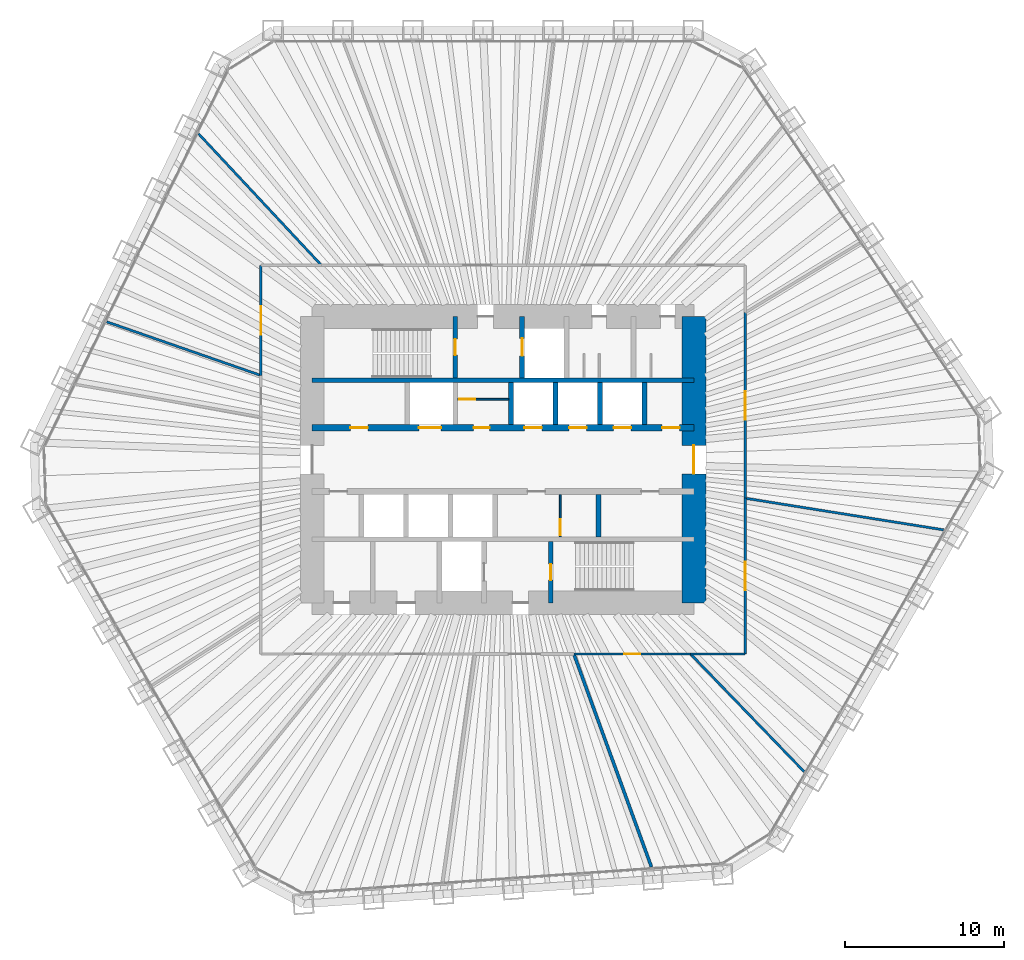
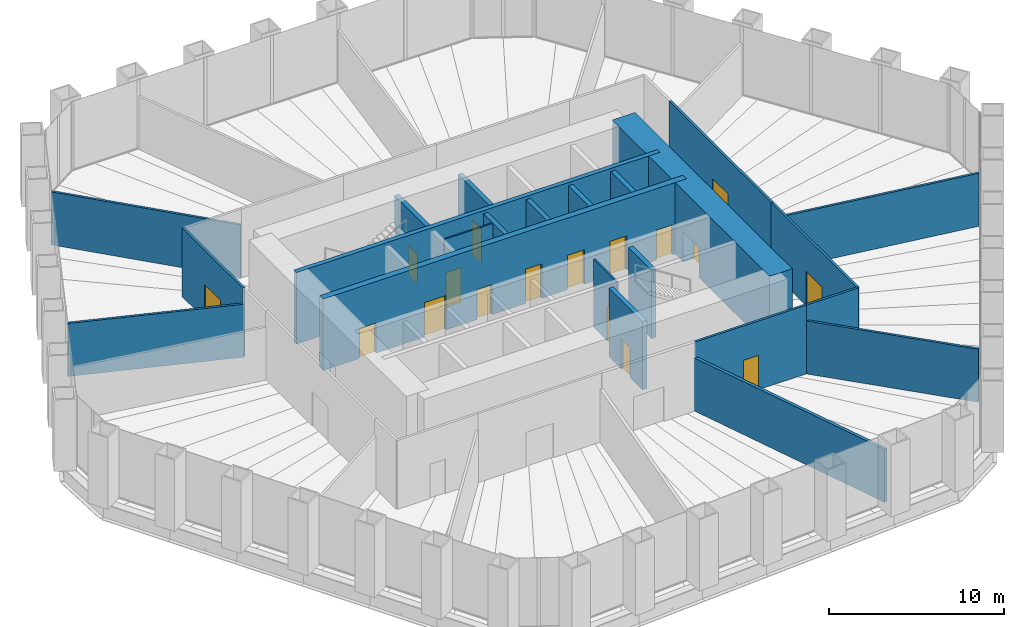
# One storey, part 11 of 13: 23 walls, 17 doors, 17 openings.
"""IFC4 building model written with IfcOpenShell, lengths in metres."""

import ifcopenshell
import ifcopenshell.guid

model = None  # the IFC model being written
_history = None  # IfcOwnerHistory: only IFC2X3 demands one
_inside = {}  # id of a spatial element -> (the spatial element, [elements in it])
_under = {}  # id of a project, library or spatial element -> (it, [spatial elements below it])
_declared = {}  # id of a project -> (the project, [libraries it declares])
_typed = {}  # id of a type object -> (the type object, [elements of that type])
_made_of = {}  # id of a material, layer set ... -> (it, [elements and type objects made of it])


def new_model(schema):
    """Start an empty IFC model of exactly this schema.

    Asked for "IFC4X3", IfcOpenShell would pick the latest addendum, in which some entities
    have other attributes; the version numbers below select the first issue.
    IFC2X3 requires an IfcOwnerHistory on every rooted entity: one is made here for all.
    """
    global model, _history
    if schema == "IFC4X3":
        model = ifcopenshell.file(schema_version=(4, 3, 0, 0))
    else:
        model = ifcopenshell.file(schema=schema)
    _inside.clear()
    _under.clear()
    _declared.clear()
    _typed.clear()
    _made_of.clear()
    _history = None
    if model.schema == "IFC2X3":
        org = make("IfcOrganization", Name="unknown")
        user = make(
            "IfcPersonAndOrganization",
            ThePerson=make("IfcPerson", FamilyName="unknown"),
            TheOrganization=org,
        )
        app = make(
            "IfcApplication",
            ApplicationDeveloper=org,
            Version="unknown",
            ApplicationFullName="unknown",
            ApplicationIdentifier="unknown",
        )
        _history = make(
            "IfcOwnerHistory",
            OwningUser=user,
            OwningApplication=app,
            ChangeAction="ADDED",
            CreationDate=0,
        )
    return model


def make(cls, **values):
    """One entity of the class cls with the attributes given. An attribute that is None is left unset."""
    return model.create_entity(
        cls, **{name: value for name, value in values.items() if value is not None}
    )


def rooted(cls, **values):
    """An entity with a GlobalId (a new one), such as an element, a storey or a relation."""
    return make(cls, GlobalId=ifcopenshell.guid.new(), OwnerHistory=_history, **values)


def si_unit(unit_type, name, prefix=None):
    """IfcSIUnit, for example si_unit("LENGTHUNIT", "METRE", prefix="MILLI")."""
    return make("IfcSIUnit", UnitType=unit_type, Prefix=prefix, Name=name)


def assignment(units):
    """IfcUnitAssignment: the units of a project."""
    return None if units is None else make("IfcUnitAssignment", Units=units)


def point(xyz):
    """IfcCartesianPoint."""
    return None if xyz is None else make("IfcCartesianPoint", Coordinates=xyz)


def direction(xyz):
    """IfcDirection."""
    return None if xyz is None else make("IfcDirection", DirectionRatios=xyz)


def frame(location, z_axis=None, x_axis=None):
    """IfcAxis2Placement3D, a coordinate frame: its origin and axes. An axis left out is left unset."""
    return make(
        "IfcAxis2Placement3D",
        Location=point(location),
        Axis=direction(z_axis),
        RefDirection=direction(x_axis),
    )


def frame_2d(location, x_axis=None):
    """IfcAxis2Placement2D, a coordinate frame in the plane: its origin and x axis."""
    return make(
        "IfcAxis2Placement2D", Location=point(location), RefDirection=direction(x_axis)
    )


def origin():
    """The frame at (0, 0, 0) with its axes left unset."""
    return frame((0.0, 0.0, 0.0))


def place(relative_to, where):
    """IfcLocalPlacement: puts the frame where relative to a parent placement (None: the world)."""
    return make(
        "IfcLocalPlacement", PlacementRelTo=relative_to, RelativePlacement=where
    )


def context(
    kind, dimensions, precision=None, world=None, true_north=None, identifier=None
):
    """IfcGeometricRepresentationContext, for example the 3D "Model" context."""
    return make(
        "IfcGeometricRepresentationContext",
        ContextIdentifier=identifier,
        ContextType=kind,
        CoordinateSpaceDimension=dimensions,
        Precision=precision,
        WorldCoordinateSystem=world,
        TrueNorth=true_north,
    )


def subcontext(parent, identifier, kind, view, scale=None):
    """IfcGeometricRepresentationSubContext, for example "Body" below "Model"."""
    return make(
        "IfcGeometricRepresentationSubContext",
        ContextIdentifier=identifier,
        ContextType=kind,
        ParentContext=parent,
        TargetScale=scale,
        TargetView=view,
    )


def project(units=None, contexts=None):
    """IfcProject with its units and contexts."""
    return rooted(
        "IfcProject",
        Name="project",
        RepresentationContexts=contexts,
        UnitsInContext=assignment(units),
    )


def spatial(cls, under=None, at=None, **own):
    """A site, building, storey or space (cls), placed at a placement, below another one or the project."""
    s = rooted(cls, ObjectPlacement=at, **own)
    if under is not None:
        _under.setdefault(under.id(), (under, []))[1].append(s)
    return s


def profile(cls, at=None, kind="AREA", **sizes):
    """A parametric profile (cls). Its sizes go by their IFC names, for example OverallWidth=200.0."""
    return make(cls, ProfileType=kind, Position=at, **sizes)


def rectangle(**sizes):
    """IfcRectangleProfileDef."""
    return profile("IfcRectangleProfileDef", **sizes)


def extrude(swept, where, along, depth):
    """IfcExtrudedAreaSolid: the profile swept, set in the frame where, extruded along a direction by depth."""
    return make(
        "IfcExtrudedAreaSolid",
        SweptArea=swept,
        Position=where,
        ExtrudedDirection=direction(along),
        Depth=depth,
    )


def shape(context_of_items, identifier, shape_type, items):
    """IfcShapeRepresentation: the items that make up one representation, for example the "Body"."""
    return make(
        "IfcShapeRepresentation",
        ContextOfItems=context_of_items,
        RepresentationIdentifier=identifier,
        RepresentationType=shape_type,
        Items=items,
    )


def material(Name=None, Category=None):
    """IfcMaterial."""
    return make("IfcMaterial", Name=Name, Category=Category)


def layer(
    of_material, thickness, ventilated=None, Name=None, Category=None, Priority=None
):
    """IfcMaterialLayer: one layer of a wall or slab, of a material (None: an air gap)."""
    return make(
        "IfcMaterialLayer",
        Material=of_material,
        LayerThickness=thickness,
        IsVentilated=ventilated,
        Name=Name,
        Category=Category,
        Priority=Priority,
    )


def layer_set(layers, Name=None):
    """IfcMaterialLayerSet."""
    return make("IfcMaterialLayerSet", MaterialLayers=layers, LayerSetName=Name)


def made_of(thing, what):
    """Note that an element or type object is made of a material, layer set ...; save() writes the relation."""
    if what is not None:
        _made_of.setdefault(what.id(), (what, []))[1].append(thing)
    return thing


def type_object(cls, material=None, **own):
    """A type object (cls), such as IfcWallType, which elements share."""
    return made_of(rooted(cls, **own), material)


def element(
    cls,
    number,
    at=None,
    inside=None,
    cuts=None,
    type_object=None,
    material=None,
    context=None,
    identifier="Body",
    shape_type=None,
    held_by="IfcProductDefinitionShape",
    body=None,
    shapes=None,
    **own,
):
    """One element of the class cls, such as IfcWall. Its Tag is "e" and its number.

    at: its placement. inside: the storey or other place that contains it. cuts: it is an
    opening in that element (IfcRelVoidsElement). A single representation is given by context,
    identifier, shape_type and body (its items); several are given by shapes. held_by: the class
    of the entity that holds the representations. save() writes the other relations.
    """
    e = rooted(cls, Tag="e%d" % number, ObjectPlacement=at, **own)
    if body is not None:
        shapes = [shape(context, identifier, shape_type, body)]
    if shapes is not None:
        e.Representation = make(held_by, Representations=shapes)
    if inside is not None:
        _inside.setdefault(inside.id(), (inside, []))[1].append(e)
    if cuts is not None:
        rooted(
            "IfcRelVoidsElement", RelatingBuildingElement=cuts, RelatedOpeningElement=e
        )
    if type_object is not None:
        _typed.setdefault(type_object.id(), (type_object, []))[1].append(e)
    return made_of(e, material)


def fill(opening, filler):
    """IfcRelFillsElement: the door or window that sits in an opening."""
    return rooted(
        "IfcRelFillsElement",
        RelatingOpeningElement=opening,
        RelatedBuildingElement=filler,
    )


def aggregate(whole, parts):
    """IfcRelAggregates: a whole, such as a stair, and the parts it consists of."""
    return rooted("IfcRelAggregates", RelatingObject=whole, RelatedObjects=parts)


def save(model, path):
    """Write the relations noted so far, then the file.

    IfcRelAggregates (storeys below a building ...), IfcRelContainedInSpatialStructure (elements
    in a storey), IfcRelDefinesByType, IfcRelAssociatesMaterial and IfcRelDeclares: one each for
    every whole, place, type object, material and project.
    """
    for whole, parts in _under.values():
        aggregate(whole, parts)
    for where, things in _inside.values():
        rooted(
            "IfcRelContainedInSpatialStructure",
            RelatedElements=things,
            RelatingStructure=where,
        )
    for kind, things in _typed.values():
        rooted("IfcRelDefinesByType", RelatedObjects=things, RelatingType=kind)
    for what, things in _made_of.values():
        rooted("IfcRelAssociatesMaterial", RelatedObjects=things, RelatingMaterial=what)
    for by, libraries in _declared.values():
        rooted("IfcRelDeclares", RelatingContext=by, RelatedDefinitions=libraries)
    model.write(path)


model = new_model("IFC4")

# Units and contexts
model_context = context("Model", 3, precision=1e-05, world=origin(), true_north=direction((0.0, 1.0)))
body_context = subcontext(model_context, "Body", "Model", "MODEL_VIEW")
ifc_project = project(units=[si_unit("LENGTHUNIT", "METRE"), si_unit("AREAUNIT", "SQUARE_METRE"), si_unit("VOLUMEUNIT", "CUBIC_METRE"), si_unit("PLANEANGLEUNIT", "RADIAN"), si_unit("MASSUNIT", "GRAM", prefix="KILO")], contexts=[model_context])

# Site, building, storey
site_placement = place(None, origin())
site = spatial("IfcSite", under=ifc_project, at=site_placement, CompositionType="ELEMENT")
building_placement = place(site_placement, origin())
building = spatial("IfcBuilding", under=site, at=building_placement, Name="Qingtian Harvest Tower", CompositionType="ELEMENT")
storey_placement = place(building_placement, frame((0.0, 0.0, 87.0)))
storey = spatial("IfcBuildingStorey", under=building, at=storey_placement, Name="L17", CompositionType="ELEMENT", Elevation=87.0)

# Wall
ifc_material_1 = material(Name="Concrete fc' 70 MPa", Category="concrete")
ifc_layer_1 = layer(ifc_material_1, 0.300048828125)
ifc_layer_set_1 = layer_set([ifc_layer_1], Name="Core inner wall RC5 300")
wall_type_1 = type_object("IfcWallType", Name="Core inner wall RC5 300", PredefinedType="SHEAR", material=ifc_layer_set_1)
wall_1_placement = place(storey_placement, frame((-12.0, 5.0, 0.0), z_axis=(0.0, 0.0, 1.0), x_axis=(1.0, 0.0, 0.0)))
element("IfcWall", 1, at=wall_1_placement, inside=storey, type_object=wall_type_1, Name="Core wall IN5 L17", PredefinedType="SHEAR", context=body_context, shape_type="SweptSolid", body=[
    extrude(rectangle(XDim=24.0, YDim=0.300048828125, at=frame_2d((12.0, 0.0))), origin(), (0.0, 0.0, 1.0), 5.0),
])

# Wall, openings, doors
ifc_material_2 = material(Name="Concrete fc' 70 MPa", Category="concrete")
ifc_layer_2 = layer(ifc_material_2, 0.39990234375)
ifc_layer_set_2 = layer_set([ifc_layer_2], Name="Core inner web RC6 400")
wall_type_2 = type_object("IfcWallType", Name="Core inner web RC6 400", PredefinedType="SHEAR", material=ifc_layer_set_2)
wall_2_placement = place(storey_placement, frame((-12.0, 2.0, 0.0), z_axis=(0.0, 0.0, 1.0), x_axis=(1.0, 0.0, 0.0)))
wall_2 = element("IfcWall", 2, at=wall_2_placement, inside=storey, type_object=wall_type_2, Name="Core wall IN2 L17", PredefinedType="SHEAR", context=body_context, shape_type="SweptSolid", body=[
    extrude(rectangle(XDim=24.0, YDim=0.39990234375, at=frame_2d((12.0, 0.0))), origin(), (0.0, 0.0, 1.0), 5.0),
])
opening_1_placement = place(wall_2_placement, frame((2.39990234375, 0.0, 0.0)))
opening_1 = element("IfcOpeningElement", 3, at=opening_1_placement, cuts=wall_2, Name="Opening FD4", PredefinedType="OPENING", context=body_context, shape_type="SweptSolid", body=[
    extrude(rectangle(XDim=1.10009765625, YDim=2.10009765625, at=frame_2d((0.550048828125, 1.050048828125))), frame((0.0, 0.2099609375, 0.0), z_axis=(0.0, -1.0, 0.0), x_axis=(1.0, 0.0, 0.0)), (0.0, 0.0, 1.0), 0.419921875),
])
opening_2_placement = place(wall_2_placement, frame((22.0, 0.0, 0.0)))
opening_2 = element("IfcOpeningElement", 4, at=opening_2_placement, cuts=wall_2, Name="Opening FD4", PredefinedType="OPENING", context=body_context, shape_type="SweptSolid", body=[
    extrude(rectangle(XDim=1.10009765625, YDim=2.10009765625, at=frame_2d((0.550048828125, 1.050048828125))), frame((0.0, 0.2099609375, 0.0), z_axis=(0.0, -1.0, 0.0), x_axis=(1.0, 0.0, 0.0)), (0.0, 0.0, 1.0), 0.419921875),
])
opening_3_placement = place(wall_2_placement, frame((10.14990234375, 0.0, 0.0)))
opening_3 = element("IfcOpeningElement", 5, at=opening_3_placement, cuts=wall_2, Name="Opening FD1", PredefinedType="OPENING", context=body_context, shape_type="SweptSolid", body=[
    extrude(rectangle(XDim=1.0, YDim=2.10009765625, at=frame_2d((0.5, 1.050048828125))), frame((0.0, 0.2099609375, 0.0), z_axis=(0.0, -1.0, 0.0), x_axis=(1.0, 0.0, 0.0)), (0.0, 0.0, 1.0), 0.419921875),
])
opening_4_placement = place(wall_2_placement, frame((6.699951171875, 0.0, 0.0)))
opening_4 = element("IfcOpeningElement", 6, at=opening_4_placement, cuts=wall_2, Name="Opening LD2", PredefinedType="OPENING", context=body_context, shape_type="SweptSolid", body=[
    extrude(rectangle(XDim=1.39990234375, YDim=2.39990234375, at=frame_2d((0.699951171875, 1.199951171875))), frame((0.0, 0.2099609375, 0.0), z_axis=(0.0, -1.0, 0.0), x_axis=(1.0, 0.0, 0.0)), (0.0, 0.0, 1.0), 0.419921875),
])
opening_5_placement = place(wall_2_placement, frame((13.35009765625, 0.0, 0.0)))
opening_5 = element("IfcOpeningElement", 7, at=opening_5_placement, cuts=wall_2, Name="Opening LD1", PredefinedType="OPENING", context=body_context, shape_type="SweptSolid", body=[
    extrude(rectangle(XDim=1.10009765625, YDim=2.39990234375, at=frame_2d((0.550048828125, 1.199951171875))), frame((0.0, 0.2099609375, 0.0), z_axis=(0.0, -1.0, 0.0), x_axis=(1.0, 0.0, 0.0)), (0.0, 0.0, 1.0), 0.419921875),
])
opening_6_placement = place(wall_2_placement, frame((16.14990234375, 0.0, 0.0)))
opening_6 = element("IfcOpeningElement", 8, at=opening_6_placement, cuts=wall_2, Name="Opening LD1", PredefinedType="OPENING", context=body_context, shape_type="SweptSolid", body=[
    extrude(rectangle(XDim=1.10009765625, YDim=2.39990234375, at=frame_2d((0.550048828125, 1.199951171875))), frame((0.0, 0.2099609375, 0.0), z_axis=(0.0, -1.0, 0.0), x_axis=(1.0, 0.0, 0.0)), (0.0, 0.0, 1.0), 0.419921875),
])
opening_7_placement = place(wall_2_placement, frame((18.949951171875, 0.0, 0.0)))
opening_7 = element("IfcOpeningElement", 9, at=opening_7_placement, cuts=wall_2, Name="Opening LD1", PredefinedType="OPENING", context=body_context, shape_type="SweptSolid", body=[
    extrude(rectangle(XDim=1.10009765625, YDim=2.39990234375, at=frame_2d((0.550048828125, 1.199951171875))), frame((0.0, 0.2099609375, 0.0), z_axis=(0.0, -1.0, 0.0), x_axis=(1.0, 0.0, 0.0)), (0.0, 0.0, 1.0), 0.419921875),
])
ifc_material_3 = material(Name="Steel-faced door leaf", Category="steel")
door_type_1 = type_object("IfcDoorType", Name="Fire door FD1 single 1 HR", OperationType="SINGLE_SWING_LEFT", PredefinedType="DOOR", material=ifc_material_3)
door_1_placement = place(opening_3_placement, origin())
door_1 = element("IfcDoor", 10, at=door_1_placement, inside=storey, type_object=door_type_1, Name="STA door L17", OperationType="SINGLE_SWING_RIGHT", OverallHeight=2.10009765625, OverallWidth=1.0, PredefinedType="DOOR", context=body_context, shape_type="SweptSolid", body=[
    extrude(rectangle(XDim=1.0, YDim=2.10009765625, at=frame_2d((0.5, 1.050048828125))), frame((0.0, 0.02490234375, 0.0), z_axis=(0.0, -1.0, 0.0), x_axis=(1.0, 0.0, 0.0)), (0.0, 0.0, 1.0), 0.050048828125),
])
fill(opening_3, door_1)
ifc_material_4 = material(Name="Steel-faced door leaf", Category="steel")
door_type_2 = type_object("IfcDoorType", Name="Fire door FD4 single 2 HR", OperationType="SINGLE_SWING_LEFT", PredefinedType="DOOR", material=ifc_material_4)
door_2_placement = place(opening_1_placement, origin())
door_2 = element("IfcDoor", 11, at=door_2_placement, inside=storey, type_object=door_type_2, Name="RA door L17", OperationType="SINGLE_SWING_RIGHT", OverallHeight=2.10009765625, OverallWidth=1.10009765625, PredefinedType="DOOR", context=body_context, shape_type="SweptSolid", body=[
    extrude(rectangle(XDim=1.10009765625, YDim=2.10009765625, at=frame_2d((0.550048828125, 1.050048828125))), frame((0.0, 0.02490234375, 0.0), z_axis=(0.0, -1.0, 0.0), x_axis=(1.0, 0.0, 0.0)), (0.0, 0.0, 1.0), 0.050048828125),
])
fill(opening_1, door_2)
door_3_placement = place(opening_2_placement, origin())
door_3 = element("IfcDoor", 12, at=door_3_placement, inside=storey, type_object=door_type_2, Name="AHU door L17", OperationType="SINGLE_SWING_LEFT", OverallHeight=2.10009765625, OverallWidth=1.10009765625, PredefinedType="DOOR", context=body_context, shape_type="SweptSolid", body=[
    extrude(rectangle(XDim=1.10009765625, YDim=2.10009765625, at=frame_2d((0.550048828125, 1.050048828125))), frame((0.0, 0.02490234375, 0.0), z_axis=(0.0, -1.0, 0.0), x_axis=(1.0, 0.0, 0.0)), (0.0, 0.0, 1.0), 0.050048828125),
])
fill(opening_2, door_3)
ifc_material_5 = material(Name="Stainless steel lift landing door", Category="steel")
door_type_3 = type_object("IfcDoorType", Name="Goods lift landing door LD2 1 HR", OperationType="DOUBLE_DOOR_SLIDING", PredefinedType="DOOR", material=ifc_material_5)
door_4_placement = place(opening_4_placement, origin())
door_4 = element("IfcDoor", 13, at=door_4_placement, inside=storey, type_object=door_type_3, Name="GL1 landing door L17", OperationType="DOUBLE_DOOR_SLIDING", OverallHeight=2.39990234375, OverallWidth=1.39990234375, PredefinedType="DOOR", context=body_context, shape_type="SweptSolid", body=[
    extrude(rectangle(XDim=1.39990234375, YDim=2.39990234375, at=frame_2d((0.699951171875, 1.199951171875))), frame((0.0, 0.02490234375, 0.0), z_axis=(0.0, -1.0, 0.0), x_axis=(1.0, 0.0, 0.0)), (0.0, 0.0, 1.0), 0.050048828125),
])
fill(opening_4, door_4)
ifc_material_6 = material(Name="Stainless steel lift landing door", Category="steel")
door_type_4 = type_object("IfcDoorType", Name="Lift landing door LD1 1 HR", OperationType="DOUBLE_DOOR_SLIDING", PredefinedType="DOOR", material=ifc_material_6)
door_5_placement = place(opening_5_placement, origin())
door_5 = element("IfcDoor", 14, at=door_5_placement, inside=storey, type_object=door_type_4, Name="PLA1 landing door L17", OperationType="DOUBLE_DOOR_SLIDING", OverallHeight=2.39990234375, OverallWidth=1.10009765625, PredefinedType="DOOR", context=body_context, shape_type="SweptSolid", body=[
    extrude(rectangle(XDim=1.10009765625, YDim=2.39990234375, at=frame_2d((0.550048828125, 1.199951171875))), frame((0.0, 0.02490234375, 0.0), z_axis=(0.0, -1.0, 0.0), x_axis=(1.0, 0.0, 0.0)), (0.0, 0.0, 1.0), 0.050048828125),
])
fill(opening_5, door_5)
door_6_placement = place(opening_6_placement, origin())
door_6 = element("IfcDoor", 15, at=door_6_placement, inside=storey, type_object=door_type_4, Name="PLA2 landing door L17", OperationType="DOUBLE_DOOR_SLIDING", OverallHeight=2.39990234375, OverallWidth=1.10009765625, PredefinedType="DOOR", context=body_context, shape_type="SweptSolid", body=[
    extrude(rectangle(XDim=1.10009765625, YDim=2.39990234375, at=frame_2d((0.550048828125, 1.199951171875))), frame((0.0, 0.02490234375, 0.0), z_axis=(0.0, -1.0, 0.0), x_axis=(1.0, 0.0, 0.0)), (0.0, 0.0, 1.0), 0.050048828125),
])
fill(opening_6, door_6)
door_7_placement = place(opening_7_placement, origin())
door_7 = element("IfcDoor", 16, at=door_7_placement, inside=storey, type_object=door_type_4, Name="PLA3 landing door L17", OperationType="DOUBLE_DOOR_SLIDING", OverallHeight=2.39990234375, OverallWidth=1.10009765625, PredefinedType="DOOR", context=body_context, shape_type="SweptSolid", body=[
    extrude(rectangle(XDim=1.10009765625, YDim=2.39990234375, at=frame_2d((0.550048828125, 1.199951171875))), frame((0.0, 0.02490234375, 0.0), z_axis=(0.0, -1.0, 0.0), x_axis=(1.0, 0.0, 0.0)), (0.0, 0.0, 1.0), 0.050048828125),
])
fill(opening_7, door_7)

# Wall, opening, door
ifc_material_7 = material(Name="Precast concrete shaft panel", Category="concrete")
ifc_layer_3 = layer(ifc_material_7, 0.300048828125)
ifc_layer_set_3 = layer_set([ifc_layer_3], Name="Core shaft partition SW1 300")
wall_type_3 = type_object("IfcWallType", Name="Core shaft partition SW1 300", PredefinedType="PARTITIONING", material=ifc_layer_set_3)
wall_3_placement = place(storey_placement, frame((-3.0, 5.14990234375, 0.0), z_axis=(0.0, 0.0, 1.0), x_axis=(0.0, 1.0, 0.0)))
wall_3 = element("IfcWall", 17, at=wall_3_placement, inside=storey, type_object=wall_type_3, Name="Core shaft partition XN1 L17", PredefinedType="PARTITIONING", context=body_context, shape_type="SweptSolid", body=[
    extrude(rectangle(XDim=3.85009765625, YDim=0.300048828125, at=frame_2d((1.925048828125, 0.0))), origin(), (0.0, 0.0, 1.0), 4.780029296875),
])
opening_8_placement = place(wall_3_placement, frame((1.425048828125, 0.0, 0.0)))
opening_8 = element("IfcOpeningElement", 18, at=opening_8_placement, cuts=wall_3, Name="Opening FD1", PredefinedType="OPENING", context=body_context, shape_type="SweptSolid", body=[
    extrude(rectangle(XDim=1.0, YDim=2.10009765625, at=frame_2d((0.5, 1.050048828125))), frame((0.0, 0.159912109375, 0.0), z_axis=(0.0, -1.0, 0.0), x_axis=(1.0, 0.0, 0.0)), (0.0, 0.0, 1.0), 0.320068359375),
])
door_8_placement = place(opening_8_placement, origin())
door_8 = element("IfcDoor", 19, at=door_8_placement, inside=storey, type_object=door_type_1, Name="S1 door L17", OperationType="SINGLE_SWING_LEFT", OverallHeight=2.10009765625, OverallWidth=1.0, PredefinedType="DOOR", context=body_context, shape_type="SweptSolid", body=[
    extrude(rectangle(XDim=1.0, YDim=2.10009765625, at=frame_2d((0.5, 1.050048828125))), frame((0.0, 0.02490234375, 0.0), z_axis=(0.0, -1.0, 0.0), x_axis=(1.0, 0.0, 0.0)), (0.0, 0.0, 1.0), 0.050048828125),
])
fill(opening_8, door_8)

wall_4_placement = place(storey_placement, frame((1.199951171875, 5.14990234375, 0.0), z_axis=(0.0, 0.0, 1.0), x_axis=(0.0, 1.0, 0.0)))
wall_4 = element("IfcWall", 20, at=wall_4_placement, inside=storey, type_object=wall_type_3, Name="Core shaft partition XN2 L17", PredefinedType="PARTITIONING", context=body_context, shape_type="SweptSolid", body=[
    extrude(rectangle(XDim=3.85009765625, YDim=0.300048828125, at=frame_2d((1.925048828125, 0.0))), origin(), (0.0, 0.0, 1.0), 4.780029296875),
])
opening_9_placement = place(wall_4_placement, frame((1.375, 0.0, 0.0)))
opening_9 = element("IfcOpeningElement", 21, at=opening_9_placement, cuts=wall_4, Name="Opening LD1", PredefinedType="OPENING", context=body_context, shape_type="SweptSolid", body=[
    extrude(rectangle(XDim=1.10009765625, YDim=2.39990234375, at=frame_2d((0.550048828125, 1.199951171875))), frame((0.0, 0.159912109375, 0.0), z_axis=(0.0, -1.0, 0.0), x_axis=(1.0, 0.0, 0.0)), (0.0, 0.0, 1.0), 0.320068359375),
])
door_9_placement = place(opening_9_placement, origin())
door_9 = element("IfcDoor", 22, at=door_9_placement, inside=storey, type_object=door_type_4, Name="FL1 landing door L17", OperationType="DOUBLE_DOOR_SLIDING", OverallHeight=2.39990234375, OverallWidth=1.10009765625, PredefinedType="DOOR", context=body_context, shape_type="SweptSolid", body=[
    extrude(rectangle(XDim=1.10009765625, YDim=2.39990234375, at=frame_2d((0.550048828125, 1.199951171875))), frame((0.0, 0.02490234375, 0.0), z_axis=(0.0, -1.0, 0.0), x_axis=(1.0, 0.0, 0.0)), (0.0, 0.0, 1.0), 0.050048828125),
])
fill(opening_9, door_9)

# Walls
for number, where, z_axis, x_axis, name in (
    (23, (0.5, 2.199951171875, 0.0), (0.0, 0.0, 1.0), (0.0, 1.0, 0.0), "Core shaft partition XA3 L17"),
    (24, (3.300048828125, 2.199951171875, 0.0), (0.0, 0.0, 1.0), (0.0, 1.0, 0.0), "Core shaft partition XA4 L17"),
    (25, (6.10009765625, 2.199951171875, 0.0), (0.0, 0.0, 1.0), (0.0, 1.0, 0.0), "Core shaft partition XA5 L17"),
    (26, (8.89990234375, 2.199951171875, 0.0), (0.0, 0.0, 1.0), (0.0, 1.0, 0.0), "Core shaft partition XA6 L17"),
    (27, (6.0, -4.85009765625, 0.0), (0.0, 0.0, 1.0), (0.0, 1.0, 0.0), "Core shaft partition XB5 L17"),
):
    element("IfcWall", number, at=place(storey_placement, frame(where, z_axis=z_axis, x_axis=x_axis)), inside=storey, type_object=wall_type_3, Name=name, PredefinedType="PARTITIONING", context=body_context, shape_type="SweptSolid", body=[
        extrude(rectangle(XDim=2.650146484375, YDim=0.300048828125, at=frame_2d((1.3251953125, 0.0))), origin(), (0.0, 0.0, 1.0), 4.780029296875),
    ])

# Wall, opening, door
wall_5_placement = place(storey_placement, frame((3.0, -9.0, 0.0), z_axis=(0.0, 0.0, 1.0), x_axis=(0.0, 1.0, 0.0)))
wall_5 = element("IfcWall", 28, at=wall_5_placement, inside=storey, type_object=wall_type_3, Name="Core shaft partition XS4 L17", PredefinedType="PARTITIONING", context=body_context, shape_type="SweptSolid", body=[
    extrude(rectangle(XDim=3.85009765625, YDim=0.300048828125, at=frame_2d((1.925048828125, 0.0))), origin(), (0.0, 0.0, 1.0), 4.780029296875),
])
opening_10_placement = place(wall_5_placement, frame((1.425048828125, 0.0, 0.0)))
opening_10 = element("IfcOpeningElement", 29, at=opening_10_placement, cuts=wall_5, Name="Opening FD1", PredefinedType="OPENING", context=body_context, shape_type="SweptSolid", body=[
    extrude(rectangle(XDim=1.0, YDim=2.10009765625, at=frame_2d((0.5, 1.050048828125))), frame((0.0, 0.159912109375, 0.0), z_axis=(0.0, -1.0, 0.0), x_axis=(1.0, 0.0, 0.0)), (0.0, 0.0, 1.0), 0.320068359375),
])
door_10_placement = place(opening_10_placement, origin())
door_10 = element("IfcDoor", 30, at=door_10_placement, inside=storey, type_object=door_type_1, Name="S2 door L17", OperationType="SINGLE_SWING_RIGHT", OverallHeight=2.10009765625, OverallWidth=1.0, PredefinedType="DOOR", context=body_context, shape_type="SweptSolid", body=[
    extrude(rectangle(XDim=1.0, YDim=2.10009765625, at=frame_2d((0.5, 1.050048828125))), frame((0.0, 0.02490234375, 0.0), z_axis=(0.0, -1.0, 0.0), x_axis=(1.0, 0.0, 0.0)), (0.0, 0.0, 1.0), 0.050048828125),
])
fill(opening_10, door_10)

ifc_material_8 = material(Name="Concrete fc' 70 MPa", Category="concrete")
ifc_layer_4 = layer(ifc_material_8, 1.5)
ifc_layer_set_4 = layer_set([ifc_layer_4], Name="Core wall RC1 1500")
wall_type_4 = type_object("IfcWallType", Name="Core wall RC1 1500", PredefinedType="SHEAR", material=ifc_layer_set_4)
wall_6_placement = place(storey_placement, frame((12.0, -9.0, 0.0), z_axis=(0.0, 0.0, 1.0), x_axis=(0.0, 1.0, 0.0)))
wall_6 = element("IfcWall", 31, at=wall_6_placement, inside=storey, type_object=wall_type_4, Name="Core wall CE L17", PredefinedType="SHEAR", context=body_context, shape_type="SweptSolid", body=[
    extrude(rectangle(XDim=18.0, YDim=1.5, at=frame_2d((9.0, 0.0))), origin(), (0.0, 0.0, 1.0), 5.0),
])
opening_11_placement = place(wall_6_placement, frame((8.10009765625, 0.0, 0.0)))
opening_11 = element("IfcOpeningElement", 32, at=opening_11_placement, cuts=wall_6, Name="Opening FD2", PredefinedType="OPENING", context=body_context, shape_type="SweptSolid", body=[
    extrude(rectangle(XDim=1.800048828125, YDim=2.10009765625, at=frame_2d((0.89990234375, 1.050048828125))), frame((0.0, 0.760009765625, 0.0), z_axis=(0.0, -1.0, 0.0), x_axis=(1.0, 0.0, 0.0)), (0.0, 0.0, 1.0), 1.52001953125),
])
ifc_material_9 = material(Name="Steel-faced door leaf", Category="steel")
door_type_5 = type_object("IfcDoorType", Name="Fire door FD2 double 1 HR", OperationType="DOUBLE_DOOR_DOUBLE_SWING", PredefinedType="DOOR", material=ifc_material_9)
door_11_placement = place(opening_11_placement, origin())
door_11 = element("IfcDoor", 33, at=door_11_placement, inside=storey, type_object=door_type_5, Name="LOBBY-E door L17", OperationType="DOUBLE_DOOR_DOUBLE_SWING", OverallHeight=2.10009765625, OverallWidth=1.800048828125, PredefinedType="DOOR", context=body_context, shape_type="SweptSolid", body=[
    extrude(rectangle(XDim=1.800048828125, YDim=2.10009765625, at=frame_2d((0.89990234375, 1.050048828125))), frame((0.0, 0.02490234375, 0.0), z_axis=(0.0, -1.0, 0.0), x_axis=(1.0, 0.0, 0.0)), (0.0, 0.0, 1.0), 0.050048828125),
])
fill(opening_11, door_11)

# Wall
ifc_material_10 = material(Name="Blockwork fire wall", Category="masonry")
ifc_layer_5 = layer(ifc_material_10, 0.199951171875)
ifc_layer_set_5 = layer_set([ifc_layer_5], Name="Fire partition FW1 200")
wall_type_5 = type_object("IfcWallType", Name="Fire partition FW1 200", PredefinedType="PARTITIONING", material=ifc_layer_set_5)
wall_7_placement = place(storey_placement, frame((9.33349609375, -25.615234375, 0.0), z_axis=(0.0, 0.0, 1.0), x_axis=(-0.342348208267, 0.939573150051, 0.0)))
element("IfcWall", 34, at=wall_7_placement, inside=storey, type_object=wall_type_5, Name="Cold room wall L17", PredefinedType="PARTITIONING", context=body_context, shape_type="SweptSolid", body=[
    extrude(rectangle(XDim=14.251220703125, YDim=0.199951171875, at=frame_2d((7.12548828125, 0.0))), origin(), (0.0, 0.0, 1.0), 3.699951171875),
])

# Wall, opening, door
ifc_material_11 = material(Name="Gypsum board on steel studs", Category="steel")
ifc_layer_6 = layer(ifc_material_11, 0.14990234375)
ifc_layer_set_6 = layer_set([ifc_layer_6], Name="Partition PT1 150")
wall_type_6 = type_object("IfcWallType", Name="Partition PT1 150", PredefinedType="PARTITIONING", material=ifc_layer_set_6)
wall_8_placement = place(storey_placement, frame((15.22509765625, 9.2431640625, 0.0), z_axis=(0.0, 0.0, 1.0), x_axis=(0.0, -1.0, 0.0)))
wall_8 = element("IfcWall", 35, at=wall_8_placement, inside=storey, type_object=wall_type_6, Name="Microgreens growing room wall L17", PredefinedType="PARTITIONING", context=body_context, shape_type="SweptSolid", body=[
    extrude(rectangle(XDim=11.66943359375, YDim=0.14990234375, at=frame_2d((5.834716796875, 0.0))), origin(), (0.0, 0.0, 1.0), 4.800048828125),
])
opening_12_placement = place(wall_8_placement, frame((4.934814453125, 0.0, 0.0)))
opening_12 = element("IfcOpeningElement", 36, at=opening_12_placement, cuts=wall_8, Name="Opening D3", PredefinedType="OPENING", context=body_context, shape_type="SweptSolid", body=[
    extrude(rectangle(XDim=1.800048828125, YDim=2.39990234375, at=frame_2d((0.89990234375, 1.199951171875))), frame((0.0, 0.0849609375, 0.0), z_axis=(0.0, -1.0, 0.0), x_axis=(1.0, 0.0, 0.0)), (0.0, 0.0, 1.0), 0.169921875),
])
ifc_material_12 = material(Name="Laminated timber door leaf", Category="wood")
door_type_6 = type_object("IfcDoorType", Name="Room door D3 double", OperationType="DOUBLE_DOOR_DOUBLE_SWING", PredefinedType="DOOR", material=ifc_material_12)
door_12_placement = place(opening_12_placement, origin())
door_12 = element("IfcDoor", 37, at=door_12_placement, inside=storey, type_object=door_type_6, Name="Microgreens growing room door L17", OperationType="DOUBLE_DOOR_DOUBLE_SWING", OverallHeight=2.39990234375, OverallWidth=1.800048828125, PredefinedType="DOOR", context=body_context, shape_type="SweptSolid", body=[
    extrude(rectangle(XDim=1.800048828125, YDim=2.39990234375, at=frame_2d((0.89990234375, 1.199951171875))), frame((0.0, 0.02490234375, 0.0), z_axis=(0.0, -1.0, 0.0), x_axis=(1.0, 0.0, 0.0)), (0.0, 0.0, 1.0), 0.050048828125),
])
fill(opening_12, door_12)

# Wall
wall_9_placement = place(storey_placement, frame((27.711181640625, -4.416015625, 0.0), z_axis=(0.0, 0.0, 1.0), x_axis=(-0.987539485036, 0.157371425279, 0.0)))
element("IfcWall", 38, at=wall_9_placement, inside=storey, type_object=wall_type_6, Name="Lettuce growing room wall L17", PredefinedType="PARTITIONING", context=body_context, shape_type="SweptSolid", body=[
    extrude(rectangle(XDim=12.6435546875, YDim=0.14990234375, at=frame_2d((6.32177734375, 0.0))), origin(), (0.0, 0.0, 1.0), 3.699951171875),
])

# Wall, opening, door
wall_10_placement = place(storey_placement, frame((15.22509765625, -2.42626953125, 0.0), z_axis=(0.0, 0.0, 1.0), x_axis=(0.0, -1.0, 0.0)))
wall_10 = element("IfcWall", 39, at=wall_10_placement, inside=storey, type_object=wall_type_6, Name="Lettuce growing room wall L17", PredefinedType="PARTITIONING", context=body_context, shape_type="SweptSolid", body=[
    extrude(rectangle(XDim=9.798828125, YDim=0.14990234375, at=frame_2d((4.8994140625, 0.0))), origin(), (0.0, 0.0, 1.0), 4.800048828125),
])
opening_13_placement = place(wall_10_placement, frame((3.999267578125, 0.0, 0.0)))
opening_13 = element("IfcOpeningElement", 40, at=opening_13_placement, cuts=wall_10, Name="Opening D3", PredefinedType="OPENING", context=body_context, shape_type="SweptSolid", body=[
    extrude(rectangle(XDim=1.800048828125, YDim=2.39990234375, at=frame_2d((0.89990234375, 1.199951171875))), frame((0.0, 0.0849609375, 0.0), z_axis=(0.0, -1.0, 0.0), x_axis=(1.0, 0.0, 0.0)), (0.0, 0.0, 1.0), 0.169921875),
])
door_13_placement = place(opening_13_placement, origin())
door_13 = element("IfcDoor", 41, at=door_13_placement, inside=storey, type_object=door_type_6, Name="Lettuce growing room door L17", OperationType="DOUBLE_DOOR_DOUBLE_SWING", OverallHeight=2.39990234375, OverallWidth=1.800048828125, PredefinedType="DOOR", context=body_context, shape_type="SweptSolid", body=[
    extrude(rectangle(XDim=1.800048828125, YDim=2.39990234375, at=frame_2d((0.89990234375, 1.199951171875))), frame((0.0, 0.02490234375, 0.0), z_axis=(0.0, -1.0, 0.0), x_axis=(1.0, 0.0, 0.0)), (0.0, 0.0, 1.0), 0.050048828125),
])
fill(opening_13, door_13)

# Walls
wall_11_placement = place(storey_placement, frame((15.22509765625, -12.22509765625, 0.0), z_axis=(0.0, 0.0, 1.0), x_axis=(-1.0, 0.0, 0.0)))
element("IfcWall", 42, at=wall_11_placement, inside=storey, type_object=wall_type_6, Name="Lettuce growing room wall L17", PredefinedType="PARTITIONING", context=body_context, shape_type="SweptSolid", body=[
    extrude(rectangle(XDim=3.427978515625, YDim=0.14990234375, at=frame_2d((1.7138671875, 0.0))), origin(), (0.0, 0.0, 1.0), 4.800048828125),
])
wall_12_placement = place(storey_placement, frame((18.93115234375, -19.617919921875, 0.0), z_axis=(0.0, 0.0, 1.0), x_axis=(-0.694399830455, 0.719589379761, 0.0)))
element("IfcWall", 43, at=wall_12_placement, inside=storey, type_object=wall_type_6, Name="Seedling nursery wall L17", PredefinedType="PARTITIONING", context=body_context, shape_type="SweptSolid", body=[
    extrude(rectangle(XDim=10.273681640625, YDim=0.14990234375, at=frame_2d((5.13671875, 0.0))), origin(), (0.0, 0.0, 1.0), 3.699951171875),
])

# Wall, opening, door
wall_13_placement = place(storey_placement, frame((11.797119140625, -12.22509765625, 0.0), z_axis=(0.0, 0.0, 1.0), x_axis=(-1.0, 0.0, 0.0)))
wall_13 = element("IfcWall", 44, at=wall_13_placement, inside=storey, type_object=wall_type_6, Name="Seedling nursery wall L17", PredefinedType="PARTITIONING", context=body_context, shape_type="SweptSolid", body=[
    extrude(rectangle(XDim=7.342529296875, YDim=0.14990234375, at=frame_2d((3.67138671875, 0.0))), origin(), (0.0, 0.0, 1.0), 4.800048828125),
])
opening_14_placement = place(wall_13_placement, frame((3.17138671875, 0.0, 0.0)))
opening_14 = element("IfcOpeningElement", 45, at=opening_14_placement, cuts=wall_13, Name="Opening D2", PredefinedType="OPENING", context=body_context, shape_type="SweptSolid", body=[
    extrude(rectangle(XDim=1.0, YDim=2.39990234375, at=frame_2d((0.5, 1.199951171875))), frame((0.0, 0.0849609375, 0.0), z_axis=(0.0, -1.0, 0.0), x_axis=(1.0, 0.0, 0.0)), (0.0, 0.0, 1.0), 0.169921875),
])
ifc_material_13 = material(Name="Laminated timber door leaf", Category="wood")
door_type_7 = type_object("IfcDoorType", Name="Room door D2 single", OperationType="SINGLE_SWING_LEFT", PredefinedType="DOOR", material=ifc_material_13)
door_14_placement = place(opening_14_placement, origin())
door_14 = element("IfcDoor", 46, at=door_14_placement, inside=storey, type_object=door_type_7, Name="Seedling nursery door L17", OperationType="SINGLE_SWING_RIGHT", OverallHeight=2.39990234375, OverallWidth=1.0, PredefinedType="DOOR", context=body_context, shape_type="SweptSolid", body=[
    extrude(rectangle(XDim=1.0, YDim=2.39990234375, at=frame_2d((0.5, 1.199951171875))), frame((0.0, 0.02490234375, 0.0), z_axis=(0.0, -1.0, 0.0), x_axis=(1.0, 0.0, 0.0)), (0.0, 0.0, 1.0), 0.050048828125),
])
fill(opening_14, door_14)

# Wall
wall_14_placement = place(storey_placement, frame((-24.92333984375, 8.66796875, 0.0), z_axis=(0.0, 0.0, 1.0), x_axis=(0.944504494796, -0.328498492098, 0.0)))
element("IfcWall", 47, at=wall_14_placement, inside=storey, type_object=wall_type_6, Name="Dispatch room wall L17", PredefinedType="PARTITIONING", context=body_context, shape_type="SweptSolid", body=[
    extrude(rectangle(XDim=10.26806640625, YDim=0.14990234375, at=frame_2d((5.134033203125, 0.0))), origin(), (0.0, 0.0, 1.0), 3.699951171875),
])

# Wall, opening, door
wall_15_placement = place(storey_placement, frame((-15.22509765625, 5.294921875, 0.0), z_axis=(0.0, 0.0, 1.0), x_axis=(0.0, 1.0, 0.0)))
wall_15 = element("IfcWall", 48, at=wall_15_placement, inside=storey, type_object=wall_type_6, Name="Dispatch room wall L17", PredefinedType="PARTITIONING", context=body_context, shape_type="SweptSolid", body=[
    extrude(rectangle(XDim=6.93017578125, YDim=0.14990234375, at=frame_2d((3.465087890625, 0.0))), origin(), (0.0, 0.0, 1.0), 4.800048828125),
])
opening_15_placement = place(wall_15_placement, frame((2.56494140625, 0.0, 0.0)))
opening_15 = element("IfcOpeningElement", 49, at=opening_15_placement, cuts=wall_15, Name="Opening D3", PredefinedType="OPENING", context=body_context, shape_type="SweptSolid", body=[
    extrude(rectangle(XDim=1.800048828125, YDim=2.39990234375, at=frame_2d((0.89990234375, 1.199951171875))), frame((0.0, 0.0849609375, 0.0), z_axis=(0.0, -1.0, 0.0), x_axis=(1.0, 0.0, 0.0)), (0.0, 0.0, 1.0), 0.169921875),
])
door_15_placement = place(opening_15_placement, origin())
door_15 = element("IfcDoor", 50, at=door_15_placement, inside=storey, type_object=door_type_6, Name="Dispatch room door L17", OperationType="DOUBLE_DOOR_DOUBLE_SWING", OverallHeight=2.39990234375, OverallWidth=1.800048828125, PredefinedType="DOOR", context=body_context, shape_type="SweptSolid", body=[
    extrude(rectangle(XDim=1.800048828125, YDim=2.39990234375, at=frame_2d((0.89990234375, 1.199951171875))), frame((0.0, 0.02490234375, 0.0), z_axis=(0.0, -1.0, 0.0), x_axis=(1.0, 0.0, 0.0)), (0.0, 0.0, 1.0), 0.050048828125),
])
fill(opening_15, door_15)

# Wall
wall_16_placement = place(storey_placement, frame((-19.156982421875, 20.504150390625, 0.0), z_axis=(0.0, 0.0, 1.0), x_axis=(0.682695116082, -0.730703345057, 0.0)))
element("IfcWall", 51, at=wall_16_placement, inside=storey, type_object=wall_type_6, Name="Packaging store wall L17", PredefinedType="PARTITIONING", context=body_context, shape_type="SweptSolid", body=[
    extrude(rectangle(XDim=11.330322265625, YDim=0.14990234375, at=frame_2d((5.6650390625, 0.0))), origin(), (0.0, 0.0, 1.0), 3.699951171875),
])

# Wall, opening, door
ifc_material_14 = material(Name="Concrete block partition", Category="concrete")
ifc_layer_7 = layer(ifc_material_14, 0.10009765625)
ifc_layer_set_7 = layer_set([ifc_layer_7], Name="Store partition PT3 100")
wall_type_7 = type_object("IfcWallType", Name="Store partition PT3 100", PredefinedType="PARTITIONING", material=ifc_layer_set_7)
wall_17_placement = place(storey_placement, frame((-2.85009765625, 3.800048828125, 0.0), z_axis=(0.0, 0.0, 1.0), x_axis=(1.0, 0.0, 0.0)))
wall_17 = element("IfcWall", 52, at=wall_17_placement, inside=storey, type_object=wall_type_7, Name="Seed store wall L17", PredefinedType="PARTITIONING", context=body_context, shape_type="SweptSolid", body=[
    extrude(rectangle(XDim=3.2001953125, YDim=0.10009765625, at=frame_2d((1.60009765625, 0.0))), origin(), (0.0, 0.0, 1.0), 4.780029296875),
])
opening_16_placement = place(wall_17_placement, frame((0.10009765625, 0.0, 0.0)))
opening_16 = element("IfcOpeningElement", 53, at=opening_16_placement, cuts=wall_17, Name="Opening D2", PredefinedType="OPENING", context=body_context, shape_type="SweptSolid", body=[
    extrude(rectangle(XDim=1.0, YDim=2.39990234375, at=frame_2d((0.5, 1.199951171875))), frame((0.0, 0.06005859375, 0.0), z_axis=(0.0, -1.0, 0.0), x_axis=(1.0, 0.0, 0.0)), (0.0, 0.0, 1.0), 0.1201171875),
])
door_16_placement = place(opening_16_placement, origin())
door_16 = element("IfcDoor", 54, at=door_16_placement, inside=storey, type_object=door_type_7, Name="Seed store door L17", OperationType="SINGLE_SWING_RIGHT", OverallHeight=2.39990234375, OverallWidth=1.0, PredefinedType="DOOR", context=body_context, shape_type="SweptSolid", body=[
    extrude(rectangle(XDim=1.0, YDim=2.39990234375, at=frame_2d((0.5, 1.199951171875))), frame((0.0, 0.02490234375, 0.0), z_axis=(0.0, -1.0, 0.0), x_axis=(1.0, 0.0, 0.0)), (0.0, 0.0, 1.0), 0.050048828125),
])
fill(opening_16, door_16)

wall_18_placement = place(storey_placement, frame((3.60009765625, -4.85009765625, 0.0), z_axis=(0.0, 0.0, 1.0), x_axis=(0.0, 1.0, 0.0)))
wall_18 = element("IfcWall", 55, at=wall_18_placement, inside=storey, type_object=wall_type_7, Name="Control room wall L17", PredefinedType="PARTITIONING", context=body_context, shape_type="SweptSolid", body=[
    extrude(rectangle(XDim=2.650146484375, YDim=0.10009765625, at=frame_2d((1.3251953125, 0.0))), origin(), (0.0, 0.0, 1.0), 4.780029296875),
])
opening_17_placement = place(wall_18_placement, frame((0.10009765625, 0.0, 0.0)))
opening_17 = element("IfcOpeningElement", 56, at=opening_17_placement, cuts=wall_18, Name="Opening D2", PredefinedType="OPENING", context=body_context, shape_type="SweptSolid", body=[
    extrude(rectangle(XDim=1.0, YDim=2.39990234375, at=frame_2d((0.5, 1.199951171875))), frame((0.0, 0.06005859375, 0.0), z_axis=(0.0, -1.0, 0.0), x_axis=(1.0, 0.0, 0.0)), (0.0, 0.0, 1.0), 0.1201171875),
])
door_17_placement = place(opening_17_placement, origin())
door_17 = element("IfcDoor", 57, at=door_17_placement, inside=storey, type_object=door_type_7, Name="Control room door L17", OperationType="SINGLE_SWING_RIGHT", OverallHeight=2.39990234375, OverallWidth=1.0, PredefinedType="DOOR", context=body_context, shape_type="SweptSolid", body=[
    extrude(rectangle(XDim=1.0, YDim=2.39990234375, at=frame_2d((0.5, 1.199951171875))), frame((0.0, 0.02490234375, 0.0), z_axis=(0.0, -1.0, 0.0), x_axis=(1.0, 0.0, 0.0)), (0.0, 0.0, 1.0), 0.050048828125),
])
fill(opening_17, door_17)

save(model, "model.ifc")
